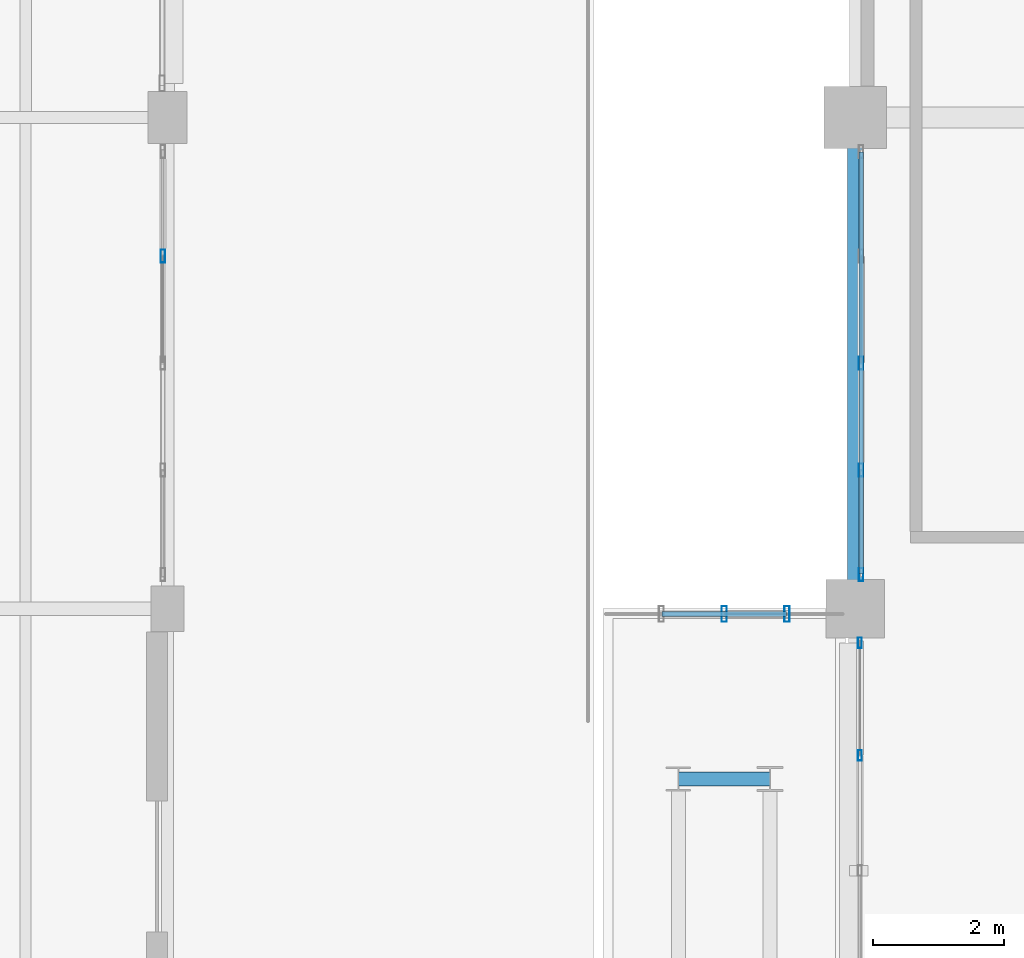
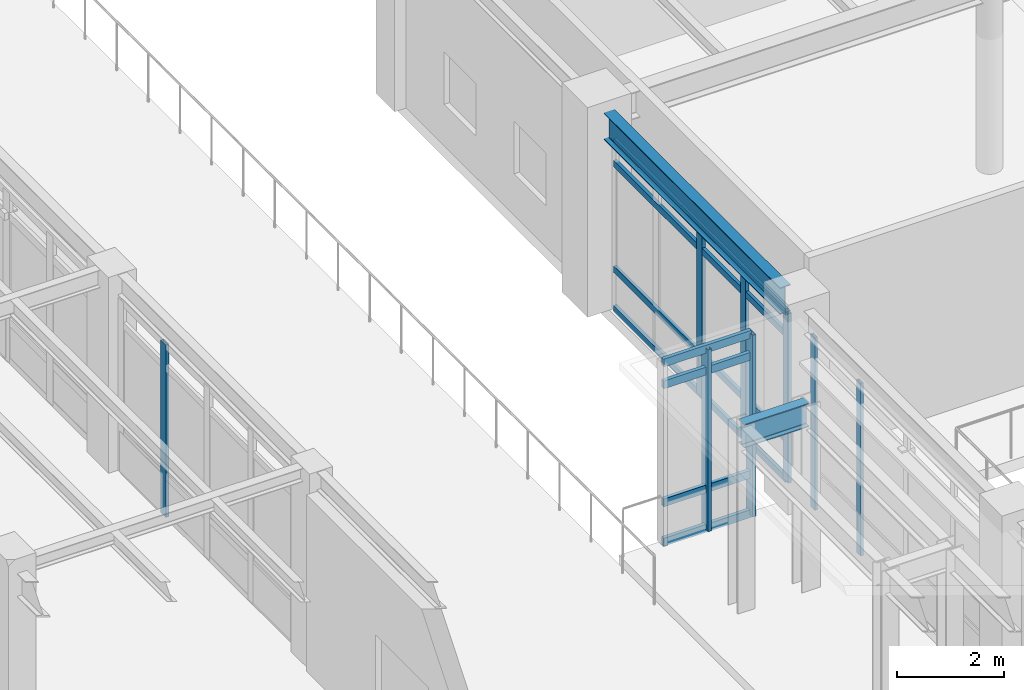
# One storey, part 124 of 200: 16 members, 2 beams, 4 elements without a shape of their own.
"""IFC4 building model written with IfcOpenShell, lengths in metres."""

from ifc_helpers import new_model, si_unit, direction, frame, origin, origin_2d, place, context, subcontext, project, spatial, hollow_rectangle, i_section, extrude, material, material_profile, profile_set, type_object, element, aggregate, save


model = new_model("IFC4")

# Units and contexts
model_context = context("Model", 3, precision=1e-05, world=origin(), true_north=direction((0.0, 1.0)))
body_context = subcontext(model_context, "Body", "Model", "MODEL_VIEW")
ifc_project = project(units=[si_unit("LENGTHUNIT", "METRE"), si_unit("AREAUNIT", "SQUARE_METRE"), si_unit("VOLUMEUNIT", "CUBIC_METRE"), si_unit("PLANEANGLEUNIT", "RADIAN"), si_unit("MASSUNIT", "GRAM", prefix="KILO"), si_unit("THERMODYNAMICTEMPERATUREUNIT", "KELVIN"), si_unit("POWERUNIT", "WATT")], contexts=[model_context])

# Site, building, storey
site_placement = place(None, origin())
site = spatial("IfcSite", under=ifc_project, at=site_placement, CompositionType="ELEMENT")
building_placement = place(site_placement, origin())
building = spatial("IfcBuilding", under=site, at=building_placement, Name="Tepalcoro Natatorium and Aquatics Centre", CompositionType="ELEMENT")
storey_placement = place(building_placement, frame((0.0, 0.0, 5.39990234375)))
storey = spatial("IfcBuildingStorey", under=building, at=storey_placement, Name="L01", CompositionType="ELEMENT", Elevation=5.39990234375)

# Beam
ifc_material_1 = material(Name="Steel ASTM A992 Grade 50 (Fy 345 MPa)", Category="steel")
ifc_material_profile_1 = material_profile(ifc_material_1, i_section(OverallWidth=0.2109375, OverallDepth=0.5380859375, WebThickness=0.011962890625, FlangeThickness=0.01904296875, FilletRadius=0.013916015625, at=origin_2d()), Name="W21X73")
ifc_profile_set_1 = profile_set([ifc_material_profile_1], Name="Steel ASTM A992 Grade 50 (Fy 345 MPa)")
beam_type_1 = type_object("IfcBeamType", Name="BM_LINK_LB1", PredefinedType="BEAM", material=ifc_profile_set_1)
beam_1_placement = place(storey_placement, frame((139.300048828125, 41.39990234375, 3.9560546875), z_axis=(1.0, 0.0, 0.0), x_axis=(0.0, 1.0, 0.0)))
element("IfcBeam", 1, at=beam_1_placement, inside=storey, type_object=beam_type_1, Name="Seismic passage link beam LB1 (V6E L01)", PredefinedType="BEAM", context=body_context, shape_type="SweptSolid", body=[
    extrude(i_section(OverallWidth=0.2109375, OverallDepth=0.5380859375, WebThickness=0.011962890625, FlangeThickness=0.01904296875, FilletRadius=0.013916015625, at=origin_2d()), origin(), (0.0, 0.0, 1.0), 1.39990234375),
])

# Curtain wall, members
ifc_material_2 = material(Name="Bronze-Anodised Extruded Aluminium Alloy EN AW-6063 T6", Category="aluminium")
curtain_wall_type_1 = type_object("IfcCurtainWallType", Name="CW_LEAN_T2_EW", PredefinedType="USERDEFINED", material=ifc_material_2)
curtain_wall_1_placement = place(storey_placement, origin())
curtain_wall_1 = element("IfcCurtainWall", 2, at=curtain_wall_1_placement, inside=storey, type_object=curtain_wall_type_1, Name="V2 L01 W Unitised Curtain Wall Bay 5", ObjectType="FACETED SOLAR GLAZING", PredefinedType="USERDEFINED")
ifc_material_profile_2 = material_profile(ifc_material_2, hollow_rectangle(XDim=0.06005859375, YDim=0.159912109375, WallThickness=0.00390625, at=origin_2d()), Name="AL60X160X4")
ifc_profile_set_2 = profile_set([ifc_material_profile_2], Name="Bronze-Anodised Extruded Aluminium Alloy EN AW-6063 T6")
member_type_1 = type_object("IfcMemberType", Name="CW_MUL_60x160", PredefinedType="MULLION", material=ifc_profile_set_2)
member_1_placement = place(storey_placement, frame((142.0712890625, 41.760009765625, 0.02001953125), z_axis=(0.0, 0.0, 1.0), x_axis=(1.0, 0.0, 0.0)))
member_1 = element("IfcMember", 3, at=member_1_placement, type_object=member_type_1, Name="CW_LEAN_T2_EW Curtain Wall Mullion", PredefinedType="MULLION", context=body_context, shape_type="SweptSolid", body=[
    extrude(hollow_rectangle(XDim=0.06005859375, YDim=0.159912109375, WallThickness=0.00390625, at=origin_2d()), origin(), (0.0, 0.0, 1.0), 3.9541015625),
])
member_2_placement = place(storey_placement, frame((142.0712890625, 43.47998046875, 0.02001953125), z_axis=(0.0, 0.0, 1.0), x_axis=(1.0, 0.0, 0.0)))
member_2 = element("IfcMember", 4, at=member_2_placement, type_object=member_type_1, Name="CW_LEAN_T2_EW Curtain Wall Mullion", PredefinedType="MULLION", context=body_context, shape_type="SweptSolid", body=[
    extrude(hollow_rectangle(XDim=0.06005859375, YDim=0.159912109375, WallThickness=0.00390625, at=origin_2d()), origin(), (0.0, 0.0, 1.0), 3.9541015625),
])
aggregate(curtain_wall_1, [member_1, member_2])

# Curtain wall, member
curtain_wall_type_2 = type_object("IfcCurtainWallType", Name="CW_V3_FOYER", PredefinedType="USERDEFINED", material=ifc_material_2)
curtain_wall_2_placement = place(storey_placement, origin())
curtain_wall_2 = element("IfcCurtainWall", 5, at=curtain_wall_2_placement, inside=storey, type_object=curtain_wall_type_2, Name="V1 L01 E Unitised Curtain Wall Bay 6", ObjectType="UNITISED STOREFRONT", PredefinedType="USERDEFINED")
ifc_material_profile_3 = material_profile(ifc_material_2, hollow_rectangle(XDim=0.070068359375, YDim=0.199951171875, WallThickness=0.0048828125, at=origin_2d()), Name="AL70X200X5")
ifc_profile_set_3 = profile_set([ifc_material_profile_3], Name="Bronze-Anodised Extruded Aluminium Alloy EN AW-6063 T6")
member_type_2 = type_object("IfcMemberType", Name="CW_MUL_70x200", PredefinedType="MULLION", material=ifc_profile_set_3)
member_3_placement = place(storey_placement, frame((131.4287109375, 49.385009765625, 0.02001953125), z_axis=(0.0, 0.0, 1.0), x_axis=(1.0, 0.0, 0.0)))
member_3 = element("IfcMember", 6, at=member_3_placement, type_object=member_type_2, Name="CW_V3_FOYER Curtain Wall Mullion", PredefinedType="MULLION", context=body_context, shape_type="SweptSolid", body=[
    extrude(hollow_rectangle(XDim=0.070068359375, YDim=0.199951171875, WallThickness=0.0048828125, at=origin_2d()), origin(), (0.0, 0.0, 1.0), 3.9501953125),
])
aggregate(curtain_wall_2, [member_3])

# Curtain wall, members
curtain_wall_type_3 = type_object("IfcCurtainWallType", Name="CW_V1_PLINTH", PredefinedType="USERDEFINED", material=ifc_material_2)
curtain_wall_3_placement = place(storey_placement, origin())
curtain_wall_3 = element("IfcCurtainWall", 7, at=curtain_wall_3_placement, inside=storey, type_object=curtain_wall_type_3, Name="V2 L01 W Unitised Curtain Wall Bay 6", ObjectType="UNITISED STOREFRONT", PredefinedType="USERDEFINED")
member_4_placement = place(storey_placement, frame((142.090087890625, 44.52001953125, 0.02001953125), z_axis=(0.0, 0.0, 1.0), x_axis=(1.0, 0.0, 0.0)))
member_4 = element("IfcMember", 8, at=member_4_placement, type_object=member_type_2, Name="CW_V1_PLINTH Curtain Wall Mullion", PredefinedType="MULLION", context=body_context, shape_type="SweptSolid", body=[
    extrude(hollow_rectangle(XDim=0.070068359375, YDim=0.199951171875, WallThickness=0.0048828125, at=origin_2d()), origin(), (0.0, 0.0, 1.0), 3.878173828125),
])
member_5_placement = place(storey_placement, frame((142.090087890625, 46.114990234375, 0.02001953125), z_axis=(0.0, 0.0, 1.0), x_axis=(1.0, 0.0, 0.0)))
member_5 = element("IfcMember", 9, at=member_5_placement, type_object=member_type_2, Name="CW_V1_PLINTH Curtain Wall Mullion", PredefinedType="MULLION", context=body_context, shape_type="SweptSolid", body=[
    extrude(hollow_rectangle(XDim=0.070068359375, YDim=0.199951171875, WallThickness=0.0048828125, at=origin_2d()), origin(), (0.0, 0.0, 1.0), 3.878173828125),
])
member_6_placement = place(storey_placement, frame((142.090087890625, 47.75, 0.02001953125), z_axis=(0.0, 0.0, 1.0), x_axis=(1.0, 0.0, 0.0)))
member_6 = element("IfcMember", 10, at=member_6_placement, type_object=member_type_2, Name="CW_V1_PLINTH Curtain Wall Mullion", PredefinedType="MULLION", context=body_context, shape_type="SweptSolid", body=[
    extrude(hollow_rectangle(XDim=0.070068359375, YDim=0.199951171875, WallThickness=0.0048828125, at=origin_2d()), origin(), (0.0, 0.0, 1.0), 3.878173828125),
])

curtain_wall_type_4 = type_object("IfcCurtainWallType", Name="CW_LINK_150", PredefinedType="USERDEFINED", material=ifc_material_2)
curtain_wall_4_placement = place(storey_placement, origin())
curtain_wall_4 = element("IfcCurtainWall", 11, at=curtain_wall_4_placement, inside=storey, type_object=curtain_wall_type_4, Name="East Diving Seismic Link Glazed Wall N L01", ObjectType="UNITISED STOREFRONT", PredefinedType="USERDEFINED")
ifc_material_profile_4 = material_profile(ifc_material_2, hollow_rectangle(XDim=0.080078125, YDim=0.239990234375, WallThickness=0.0048828125, at=origin_2d()), Name="AL80X240X5")
ifc_profile_set_4 = profile_set([ifc_material_profile_4], Name="Bronze-Anodised Extruded Aluminium Alloy EN AW-6063 T6")
member_type_3 = type_object("IfcMemberType", Name="CW_MUL_80x240", PredefinedType="MULLION", material=ifc_profile_set_4)
member_7_placement = place(storey_placement, frame((140.0, 43.919921875, 0.02001953125), z_axis=(0.0, 0.0, 1.0), x_axis=(1.0, 0.0, 0.0)))
member_7 = element("IfcMember", 12, at=member_7_placement, type_object=member_type_3, Name="CW_LINK_150 Curtain Wall Mullion", PredefinedType="MULLION", context=body_context, shape_type="SweptSolid", body=[
    extrude(hollow_rectangle(XDim=0.080078125, YDim=0.239990234375, WallThickness=0.0048828125, at=origin_2d()), origin(), (0.0, 0.0, 1.0), 4.16015625),
])
member_8_placement = place(storey_placement, frame((140.9599609375, 43.919921875, 0.02001953125), z_axis=(0.0, 0.0, 1.0), x_axis=(1.0, 0.0, 0.0)))
member_8 = element("IfcMember", 13, at=member_8_placement, type_object=member_type_3, Name="CW_LINK_150 Curtain Wall Mullion", PredefinedType="MULLION", context=body_context, shape_type="SweptSolid", body=[
    extrude(hollow_rectangle(XDim=0.080078125, YDim=0.239990234375, WallThickness=0.0048828125, at=origin_2d()), origin(), (0.0, 0.0, 1.0), 4.16015625),
])

# Member
ifc_material_profile_5 = material_profile(ifc_material_2, hollow_rectangle(XDim=0.070068359375, YDim=0.14990234375, WallThickness=0.00390625, at=origin_2d()), Name="AL70X150X4")
ifc_profile_set_5 = profile_set([ifc_material_profile_5], Name="Bronze-Anodised Extruded Aluminium Alloy EN AW-6063 T6")
member_type_4 = type_object("IfcMemberType", Name="CW_TRN_70x150", PredefinedType="USERDEFINED", material=ifc_profile_set_5)
member_9_placement = place(storey_placement, frame((142.090087890625, 44.530029296875, 0.050048828125), z_axis=(0.0, 1.0, 0.0), x_axis=(-1.0, 0.0, 0.0)))
member_9 = element("IfcMember", 14, at=member_9_placement, type_object=member_type_4, Name="CW_V1_PLINTH Curtain Wall Transom", ObjectType="TRANSOM", PredefinedType="USERDEFINED", context=body_context, shape_type="SweptSolid", body=[
    extrude(hollow_rectangle(XDim=0.070068359375, YDim=0.14990234375, WallThickness=0.00390625, at=origin_2d()), origin(), (0.0, 0.0, 1.0), 6.43994140625),
])

member_10_placement = place(storey_placement, frame((142.090087890625, 44.530029296875, 0.9501953125), z_axis=(0.0, 1.0, 0.0), x_axis=(-1.0, 0.0, 0.0)))
member_10 = element("IfcMember", 15, at=member_10_placement, type_object=member_type_4, Name="CW_V1_PLINTH Curtain Wall Transom", ObjectType="TRANSOM", PredefinedType="USERDEFINED", context=body_context, shape_type="SweptSolid", body=[
    extrude(hollow_rectangle(XDim=0.070068359375, YDim=0.14990234375, WallThickness=0.00390625, at=origin_2d()), origin(), (0.0, 0.0, 1.0), 6.43994140625),
])

member_11_placement = place(storey_placement, frame((142.090087890625, 44.530029296875, 3.3681640625), z_axis=(0.0, 1.0, 0.0), x_axis=(-1.0, 0.0, 0.0)))
member_11 = element("IfcMember", 16, at=member_11_placement, type_object=member_type_4, Name="CW_V1_PLINTH Curtain Wall Transom", ObjectType="TRANSOM", PredefinedType="USERDEFINED", context=body_context, shape_type="SweptSolid", body=[
    extrude(hollow_rectangle(XDim=0.070068359375, YDim=0.14990234375, WallThickness=0.00390625, at=origin_2d()), origin(), (0.0, 0.0, 1.0), 6.43994140625),
])

member_12_placement = place(storey_placement, frame((142.090087890625, 44.530029296875, 3.8681640625), z_axis=(0.0, 1.0, 0.0), x_axis=(-1.0, 0.0, 0.0)))
member_12 = element("IfcMember", 17, at=member_12_placement, type_object=member_type_4, Name="CW_V1_PLINTH Curtain Wall Transom", ObjectType="TRANSOM", PredefinedType="USERDEFINED", context=body_context, shape_type="SweptSolid", body=[
    extrude(hollow_rectangle(XDim=0.070068359375, YDim=0.14990234375, WallThickness=0.00390625, at=origin_2d()), origin(), (0.0, 0.0, 1.0), 6.43994140625),
])

aggregate(curtain_wall_3, [member_4, member_5, member_6, member_9, member_10, member_11, member_12])

ifc_material_profile_6 = material_profile(ifc_material_2, hollow_rectangle(XDim=0.080078125, YDim=0.179931640625, WallThickness=0.0048828125, at=origin_2d()), Name="AL80X180X5")
ifc_profile_set_6 = profile_set([ifc_material_profile_6], Name="Bronze-Anodised Extruded Aluminium Alloy EN AW-6063 T6")
member_type_5 = type_object("IfcMemberType", Name="CW_TRN_80x180", PredefinedType="USERDEFINED", material=ifc_profile_set_6)
member_13_placement = place(storey_placement, frame((139.050048828125, 43.919921875, 0.050048828125), z_axis=(1.0, 0.0, 0.0), x_axis=(0.0, 1.0, 0.0)))
member_13 = element("IfcMember", 18, at=member_13_placement, type_object=member_type_5, Name="CW_LINK_150 Curtain Wall Transom", ObjectType="TRANSOM", PredefinedType="USERDEFINED", context=body_context, shape_type="SweptSolid", body=[
    extrude(hollow_rectangle(XDim=0.080078125, YDim=0.179931640625, WallThickness=0.0048828125, at=origin_2d()), origin(), (0.0, 0.0, 1.0), 1.89990234375),
])

member_14_placement = place(storey_placement, frame((139.050048828125, 43.919921875, 0.9501953125), z_axis=(1.0, 0.0, 0.0), x_axis=(0.0, 1.0, 0.0)))
member_14 = element("IfcMember", 19, at=member_14_placement, type_object=member_type_5, Name="CW_LINK_150 Curtain Wall Transom", ObjectType="TRANSOM", PredefinedType="USERDEFINED", context=body_context, shape_type="SweptSolid", body=[
    extrude(hollow_rectangle(XDim=0.080078125, YDim=0.179931640625, WallThickness=0.0048828125, at=origin_2d()), origin(), (0.0, 0.0, 1.0), 1.89990234375),
])

member_15_placement = place(storey_placement, frame((139.050048828125, 43.919921875, 3.650146484375), z_axis=(1.0, 0.0, 0.0), x_axis=(0.0, 1.0, 0.0)))
member_15 = element("IfcMember", 20, at=member_15_placement, type_object=member_type_5, Name="CW_LINK_150 Curtain Wall Transom", ObjectType="TRANSOM", PredefinedType="USERDEFINED", context=body_context, shape_type="SweptSolid", body=[
    extrude(hollow_rectangle(XDim=0.080078125, YDim=0.179931640625, WallThickness=0.0048828125, at=origin_2d()), origin(), (0.0, 0.0, 1.0), 1.89990234375),
])

member_16_placement = place(storey_placement, frame((139.050048828125, 43.919921875, 4.150146484375), z_axis=(1.0, 0.0, 0.0), x_axis=(0.0, 1.0, 0.0)))
member_16 = element("IfcMember", 21, at=member_16_placement, type_object=member_type_5, Name="CW_LINK_150 Curtain Wall Transom", ObjectType="TRANSOM", PredefinedType="USERDEFINED", context=body_context, shape_type="SweptSolid", body=[
    extrude(hollow_rectangle(XDim=0.080078125, YDim=0.179931640625, WallThickness=0.0048828125, at=origin_2d()), origin(), (0.0, 0.0, 1.0), 1.89990234375),
])

aggregate(curtain_wall_4, [member_7, member_8, member_13, member_14, member_15, member_16])

# Beam
ifc_material_profile_7 = material_profile(ifc_material_1, i_section(OverallWidth=0.22900390625, OverallDepth=0.612060546875, WebThickness=0.011962890625, FlangeThickness=0.02001953125, FilletRadius=0.013916015625, at=origin_2d()), Name="W24X84")
ifc_profile_set_7 = profile_set([ifc_material_profile_7], Name="Steel ASTM A992 Grade 50 (Fy 345 MPa)")
beam_type_2 = type_object("IfcBeamType", Name="SP_W24x84", PredefinedType="SPANDREL", material=ifc_profile_set_7)
beam_2_placement = place(storey_placement, frame((142.0, 44.43505859375, 4.239013671875), z_axis=(0.0, 1.0, 0.0), x_axis=(-1.0, 0.0, 0.0)))
element("IfcBeam", 22, at=beam_2_placement, inside=storey, type_object=beam_type_2, Name="V2 L01 Grid Girder Y", PredefinedType="SPANDREL", context=body_context, shape_type="SweptSolid", body=[
    extrude(i_section(OverallWidth=0.22900390625, OverallDepth=0.612060546875, WebThickness=0.011962890625, FlangeThickness=0.02001953125, FilletRadius=0.013916015625, at=origin_2d()), origin(), (0.0, 0.0, 1.0), 6.60498046875),
])

save(model, "model.ifc")
